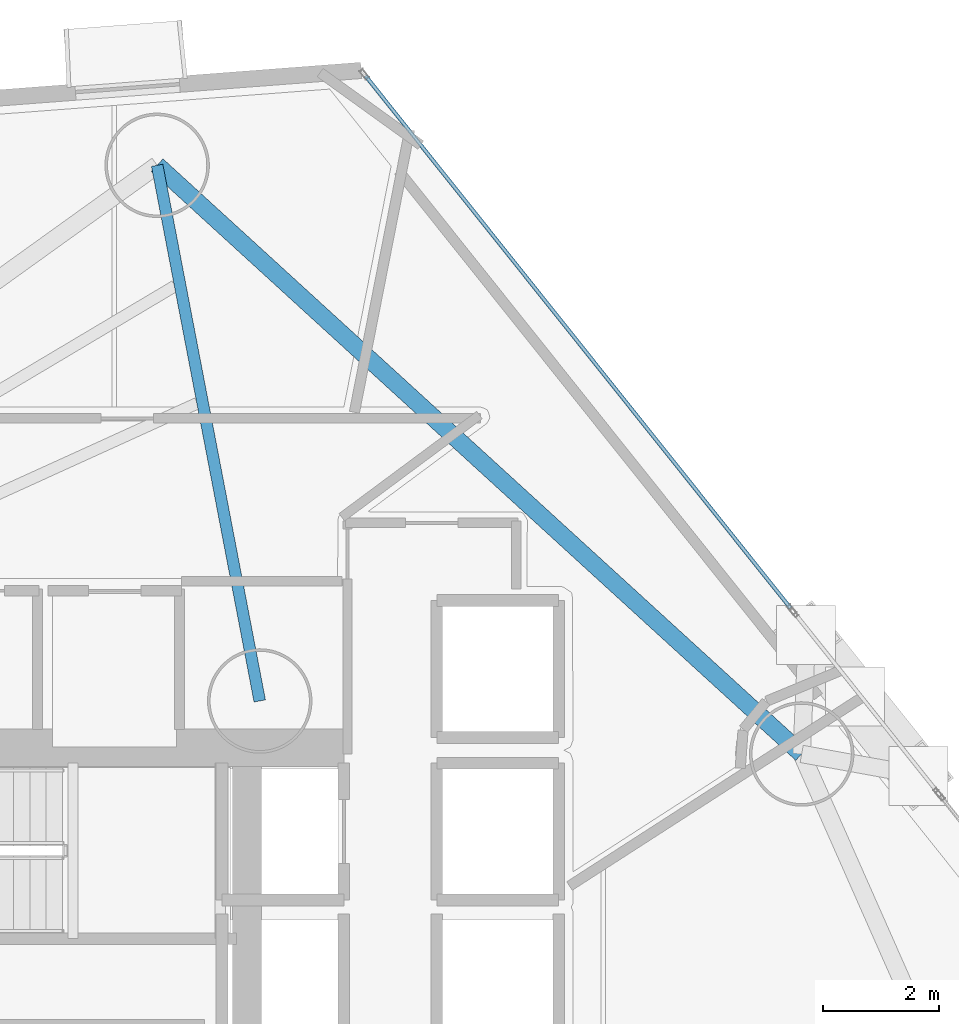
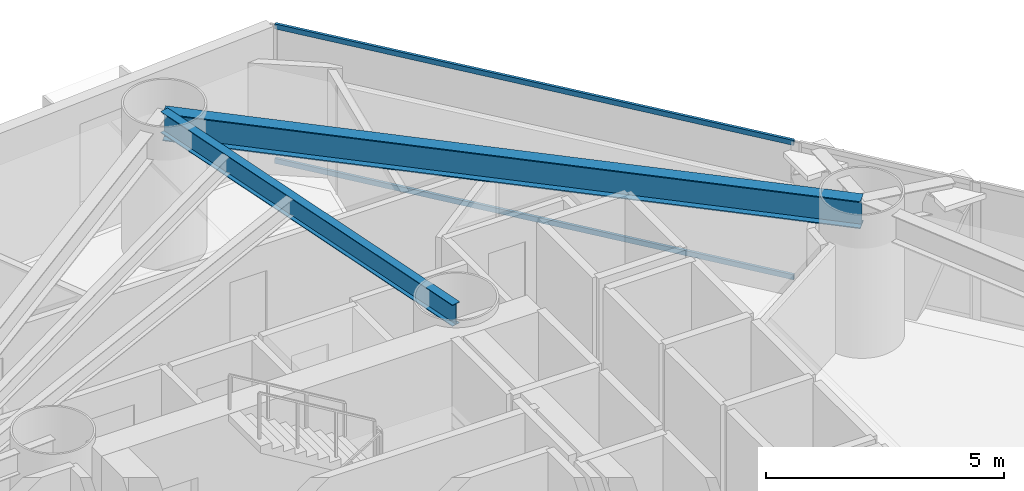
# One storey, part 11 of 23: 2 beams, 2 members, 1 element without a shape of its own.
"""IFC4 building model written with IfcOpenShell, lengths in metres."""

from ifc_helpers import new_model, si_unit, direction, frame, origin, origin_2d, place, context, subcontext, project, spatial, hollow_rectangle, i_section, extrude, material, layer, layer_set, material_profile, profile_set, type_object, element, aggregate, save


model = new_model("IFC4")

# Units and contexts
model_context = context("Model", 3, precision=1e-05, world=origin(), true_north=direction((0.0, 1.0)))
body_context = subcontext(model_context, "Body", "Model", "MODEL_VIEW")
ifc_project = project(units=[si_unit("LENGTHUNIT", "METRE"), si_unit("AREAUNIT", "SQUARE_METRE"), si_unit("VOLUMEUNIT", "CUBIC_METRE"), si_unit("PLANEANGLEUNIT", "RADIAN"), si_unit("MASSUNIT", "GRAM", prefix="KILO")], contexts=[model_context])

# Site, building, storey
site_placement = place(None, origin())
site = spatial("IfcSite", under=ifc_project, at=site_placement, CompositionType="ELEMENT")
building_placement = place(site_placement, origin())
building = spatial("IfcBuilding", under=site, at=building_placement, Name="Qianvela Tower", CompositionType="ELEMENT")
storey_placement = place(building_placement, frame((0.0, 0.0, 33.10009765625)))
storey = spatial("IfcBuildingStorey", under=building, at=storey_placement, Name="L07", CompositionType="ELEMENT", Elevation=33.10009765625)

# Beams
ifc_material_1 = material(Name="Steel Q355B", Category="steel")
ifc_material_profile_1 = material_profile(ifc_material_1, i_section(OverallWidth=0.199951171875, OverallDepth=0.550048828125, WebThickness=0.010009765625, FlangeThickness=0.01611328125, at=origin_2d()), Name="HN550x200x10x16")
ifc_profile_set_1 = profile_set([ifc_material_profile_1], Name="Steel Q355B")
beam_type_1 = type_object("IfcBeamType", Name="BM-HN550-GIRD", PredefinedType="BEAM", material=ifc_profile_set_1)
beam_1_placement = place(storey_placement, frame((38.39990234375, 33.550048828125, 3.242919921875), z_axis=(-0.188149597911, 0.982140381415, 0.0), x_axis=(-0.982140381415, -0.188149597911, 0.0)))
element("IfcBeam", 1, at=beam_1_placement, inside=storey, type_object=beam_type_1, Name="L07 Radial Primary Floor Girder 3", PredefinedType="BEAM", context=body_context, shape_type="SweptSolid", body=[
    extrude(i_section(OverallWidth=0.199951171875, OverallDepth=0.550048828125, WebThickness=0.010009765625, FlangeThickness=0.01611328125, at=origin_2d()), origin(), (0.0, 0.0, 1.0), 9.395751953125),
])
ifc_material_2 = material(Name="Steel Q355B", Category="steel")
ifc_material_profile_2 = material_profile(ifc_material_2, i_section(OverallWidth=0.300048828125, OverallDepth=0.699951171875, WebThickness=0.012939453125, FlangeThickness=0.02392578125, at=origin_2d()), Name="HN700x300x13x24")
ifc_profile_set_2 = profile_set([ifc_material_profile_2], Name="Steel Q355B")
beam_type_2 = type_object("IfcBeamType", Name="BM-HN700-SPAND", PredefinedType="SPANDREL", material=ifc_profile_set_2)
beam_2_placement = place(storey_placement, frame((47.736083984375, 32.636962890625, 3.16796875), z_axis=(-0.738396915155, 0.674366366072, 0.0), x_axis=(-0.674366366072, -0.738396915155, 0.0)))
element("IfcBeam", 2, at=beam_2_placement, inside=storey, type_object=beam_type_2, Name="L07 Perimeter Ring Spandrel Girder 2", PredefinedType="SPANDREL", context=body_context, shape_type="SweptSolid", body=[
    extrude(i_section(OverallWidth=0.300048828125, OverallDepth=0.699951171875, WebThickness=0.012939453125, FlangeThickness=0.02392578125, at=origin_2d()), origin(), (0.0, 0.0, 1.0), 15.0380859375),
])

# Curtain wall, members
ifc_material_3 = material(Name="Anodised Architectural Aluminium and Low-E Glass", Category="aluminium")
ifc_layer = layer(ifc_material_3, 0.179931640625)
ifc_layer_set = layer_set([ifc_layer], Name="Anodised Architectural Aluminium and Low-E Glass")
curtain_wall_type = type_object("IfcCurtainWallType", Name="CW-COLIV-Z12", PredefinedType="USERDEFINED", material=ifc_layer_set)
curtain_wall_placement = place(storey_placement, origin())
curtain_wall = element("IfcCurtainWall", 3, at=curtain_wall_placement, inside=storey, type_object=curtain_wall_type, Name="L07 CW-COLIV-Z12 Curtain Wall 02C", ObjectType="CURTAIN_WALL_SYSTEM", PredefinedType="USERDEFINED")
ifc_material_4 = material(Name="Anodised Architectural Aluminium 6063-T6", Category="aluminium")
ifc_material_profile_3 = material_profile(ifc_material_4, hollow_rectangle(XDim=0.06494140625, YDim=0.1298828125, WallThickness=0.00439453125, at=origin_2d()), Name="ALU-TRAN-65x130")
ifc_profile_set_3 = profile_set([ifc_material_profile_3], Name="Anodised Architectural Aluminium 6063-T6")
member_type = type_object("IfcMemberType", Name="CW-COLIV-Z12-TRAN", PredefinedType="USERDEFINED", material=ifc_profile_set_3)
member_1_placement = place(storey_placement, frame((47.542236328125, 35.152099609375, 0.032470703125), z_axis=(-0.623968914869, 0.781449162311, 0.0), x_axis=(-0.781449162311, -0.623968914869, 0.0)))
member_1 = element("IfcMember", 4, at=member_1_placement, type_object=member_type, Name="CW-3 transom 1.1", ObjectType="TRANSOM", PredefinedType="USERDEFINED", context=body_context, shape_type="SweptSolid", body=[
    extrude(hollow_rectangle(XDim=0.06494140625, YDim=0.1298828125, WallThickness=0.00439453125, at=origin_2d()), origin(), (0.0, 0.0, 1.0), 11.73095703125),
])
member_2_placement = place(storey_placement, frame((47.542236328125, 35.152099609375, 3.4873046875), z_axis=(-0.623968914869, 0.781449162311, 0.0), x_axis=(-0.781449162311, -0.623968914869, 0.0)))
member_2 = element("IfcMember", 5, at=member_2_placement, type_object=member_type, Name="CW-3 transom 1.2", ObjectType="TRANSOM", PredefinedType="USERDEFINED", context=body_context, shape_type="SweptSolid", body=[
    extrude(hollow_rectangle(XDim=0.06494140625, YDim=0.1298828125, WallThickness=0.00439453125, at=origin_2d()), origin(), (0.0, 0.0, 1.0), 11.73095703125),
])
aggregate(curtain_wall, [member_1, member_2])

save(model, "model.ifc")
